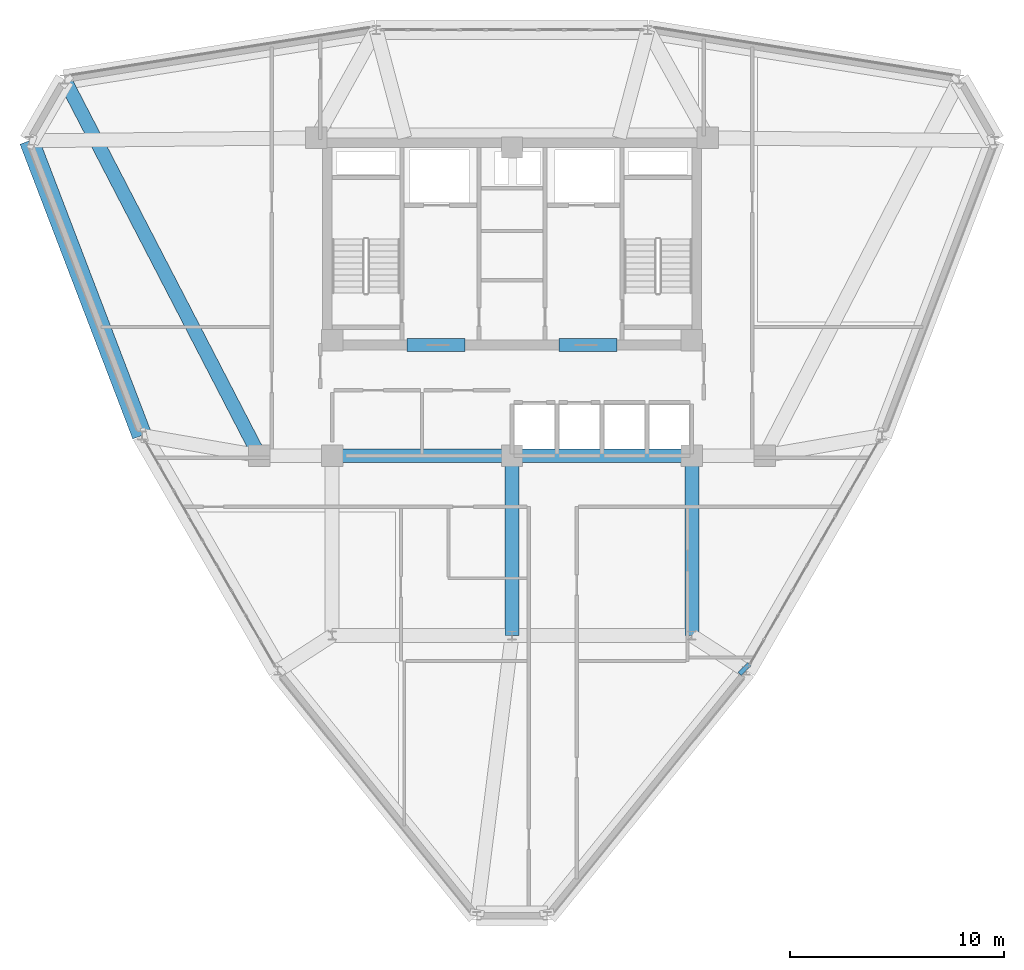
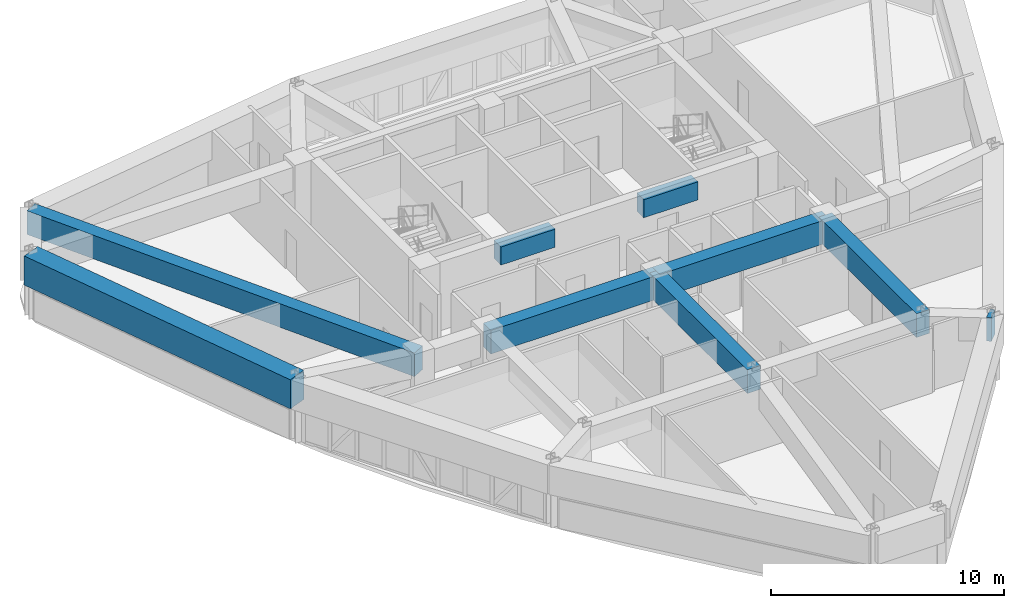
# One storey, part 5 of 14: 9 beams.
"""IFC4 building model written with IfcOpenShell, lengths in metres."""

from ifc_helpers import new_model, si_unit, derived_unit, direction, frame, origin, origin_2d, place, context, subcontext, project, spatial, rectangle, extrude, source, transform, mapped, material, material_profile, profile_set, type_object, element, save


model = new_model("IFC4")

# Units and contexts
model_context = context("Model", 3, precision=1e-05, world=origin(), true_north=direction((0.0, 1.0)))
body_context = subcontext(model_context, "Body", "Model", "MODEL_VIEW")
ifc_project = project(units=[si_unit("LENGTHUNIT", "METRE"), si_unit("AREAUNIT", "SQUARE_METRE"), si_unit("VOLUMEUNIT", "CUBIC_METRE"), si_unit("PLANEANGLEUNIT", "RADIAN"), si_unit("MASSUNIT", "GRAM", prefix="KILO"), derived_unit("THERMALTRANSMITTANCEUNIT", [(si_unit("POWERUNIT", "WATT"), 1), (si_unit("LENGTHUNIT", "METRE"), -2), (si_unit("THERMODYNAMICTEMPERATUREUNIT", "KELVIN"), -1)])], contexts=[model_context])

# Site, building, storey
site_placement = place(None, origin())
site = spatial("IfcSite", under=ifc_project, at=site_placement, CompositionType="ELEMENT")
building_placement = place(site_placement, origin())
building = spatial("IfcBuilding", under=site, at=building_placement, Name="Korsvarv Bourse and Concert Hall", CompositionType="ELEMENT")
storey_placement = place(building_placement, frame((0.0, 0.0, 175.800048828125)))
storey = spatial("IfcBuildingStorey", under=building, at=storey_placement, Name="L45", CompositionType="ELEMENT", Elevation=175.800048828125)

# Beams
ifc_material_1 = material(Name="Concrete C55/67", Category="concrete")
ifc_material_profile_1 = material_profile(ifc_material_1, rectangle(XDim=0.60009765625, YDim=0.949951171875, at=origin_2d()), Name="RC-BM 600x950")
ifc_profile_set_1 = profile_set([ifc_material_profile_1], Name="Concrete C55/67")
beam_type_1 = type_object("IfcBeamType", Name="BM-CPL", PredefinedType="LINTEL", material=ifc_profile_set_1)
shared_shape_1 = source(origin(), body_context, "Body", "SweptSolid", [
    extrude(rectangle(XDim=0.60009765625, YDim=0.949951171875, at=origin_2d()), origin(), (0.0, 0.0, 1.0), 2.699951171875),
])
for number, where, z_axis, x_axis, name in (
    (1, (31.10009765625, 37.574951171875, 2.925048828125), (1.0, 0.0, 0.0), (0.0, 1.0, 0.0), "L45 Core Coupling Beam West"),
    (2, (38.199951171875, 37.574951171875, 2.925048828125), (1.0, 0.0, 0.0), (0.0, 1.0, 0.0), "L45 Core Coupling Beam East"),
):
    element("IfcBeam", number, at=place(storey_placement, frame(where, z_axis=z_axis, x_axis=x_axis)), inside=storey, type_object=beam_type_1, Name=name, PredefinedType="LINTEL", context=body_context, shape_type="MappedRepresentation", body=[
        mapped(shared_shape_1, transform((0.0, 0.0, 0.0), scale=1.0)),
    ])
ifc_material_2 = material(Name="Concrete C50/60", Category="concrete")
ifc_material_profile_2 = material_profile(ifc_material_2, rectangle(XDim=0.64990234375, YDim=1.239990234375, at=origin_2d()), Name="RC-BM 650x1240")
ifc_profile_set_2 = profile_set([ifc_material_profile_2], Name="Concrete C50/60")
beam_type_2 = type_object("IfcBeamType", Name="BM-TR-SPN", PredefinedType="BEAM", material=ifc_profile_set_2)
shared_shape_2 = source(origin(), body_context, "Body", "SweptSolid", [
    extrude(rectangle(XDim=0.64990234375, YDim=1.239990234375, at=origin_2d()), origin(), (0.0, 0.0, 1.0), 8.39990234375),
])
for number, where, z_axis, x_axis, name in (
    (3, (27.60009765625, 32.39990234375, 2.780029296875), (1.0, 0.0, 0.0), (0.0, 1.0, 0.0), "L45 beam B-TRS"),
    (4, (36.0, 32.39990234375, 2.780029296875), (1.0, 0.0, 0.0), (0.0, 1.0, 0.0), "L45 beam B-TRS"),
    (5, (36.0, 24.0, 2.780029296875), (0.0, 1.0, 0.0), (-1.0, 0.0, 0.0), "L45 beam B-TRS"),
    (6, (44.39990234375, 24.0, 2.780029296875), (0.0, 1.0, 0.0), (-1.0, 0.0, 0.0), "L45 beam B-TRS"),
):
    element("IfcBeam", number, at=place(storey_placement, frame(where, z_axis=z_axis, x_axis=x_axis)), inside=storey, type_object=beam_type_2, Name=name, PredefinedType="BEAM", context=body_context, shape_type="MappedRepresentation", body=[
        mapped(shared_shape_2, transform((0.0, 0.0, 0.0), scale=1.0)),
    ])
ifc_material_profile_3 = material_profile(ifc_material_2, rectangle(XDim=0.919921875, YDim=1.530029296875, at=origin_2d()), Name="RC-BM 920x1530")
ifc_profile_set_3 = profile_set([ifc_material_profile_3], Name="Concrete C50/60")
beam_type_3 = type_object("IfcBeamType", Name="BM-TR-154", PredefinedType="BEAM", material=ifc_profile_set_3)
shared_shape_3 = source(origin(), body_context, "Body", "SweptSolid", [
    extrude(rectangle(XDim=0.919921875, YDim=1.530029296875, at=origin_2d()), origin(), (0.0, 0.0, 1.0), 14.740234375),
])
beam_1_placement = place(storey_placement, frame((13.446044921875, 47.114501953125, 2.635009765625), z_axis=(0.357410307227, -0.933947467627, 0.0), x_axis=(0.933947467627, 0.357410307227, 0.0)))
element("IfcBeam", 7, at=beam_1_placement, inside=storey, type_object=beam_type_3, Name="L45 beam B-TR6", PredefinedType="BEAM", context=body_context, shape_type="MappedRepresentation", body=[
    mapped(shared_shape_3, transform((0.0, 0.0, 0.0), scale=1.0)),
])
shared_shape_4 = source(origin(), body_context, "Body", "SweptSolid", [
    extrude(rectangle(XDim=0.64990234375, YDim=1.239990234375, at=origin_2d()), origin(), (0.0, 0.0, 1.0), 19.79248046875),
])
beam_2_placement = place(storey_placement, frame((15.09765625, 49.97509765625, 2.780029296875), z_axis=(0.459888290495, -0.887976779125, 0.0), x_axis=(0.887976779125, 0.459888290495, 0.0)))
element("IfcBeam", 8, at=beam_2_placement, inside=storey, type_object=beam_type_2, Name="L45 beam B-TRS", PredefinedType="BEAM", context=body_context, shape_type="MappedRepresentation", body=[
    mapped(shared_shape_4, transform((0.0, 0.0, 0.0), scale=1.0)),
])
shared_shape_5 = source(origin(), body_context, "Body", "SweptSolid", [
    extrude(rectangle(XDim=0.64990234375, YDim=1.239990234375, at=origin_2d()), origin(), (0.0, 0.0, 1.0), 0.220947265625),
])
beam_3_placement = place(storey_placement, frame((46.939697265625, 22.356201171875, 2.780029296875), z_axis=(-0.708210771018, 0.706001065024, 0.0), x_axis=(-0.706001065024, -0.708210771018, 0.0)))
element("IfcBeam", 9, at=beam_3_placement, inside=storey, type_object=beam_type_2, Name="L45 beam B-TRS", PredefinedType="BEAM", context=body_context, shape_type="MappedRepresentation", body=[
    mapped(shared_shape_5, transform((0.0, 0.0, 0.0), scale=1.0)),
])

save(model, "model.ifc")
